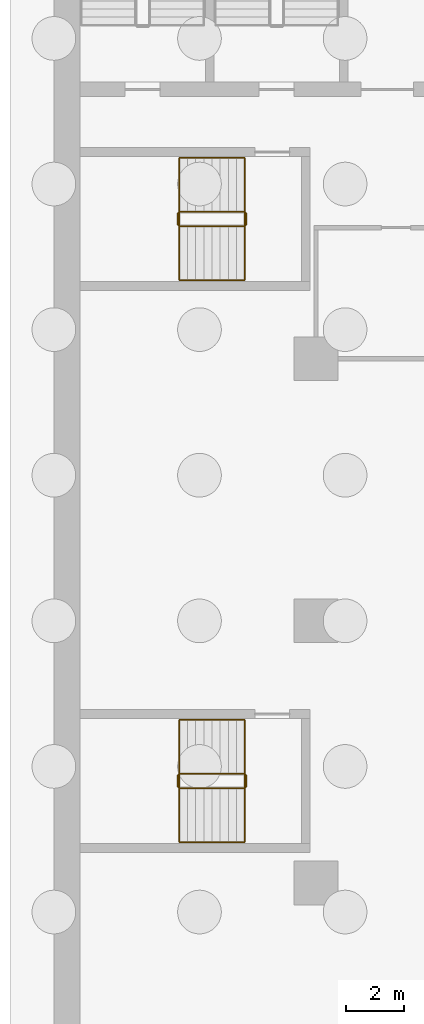
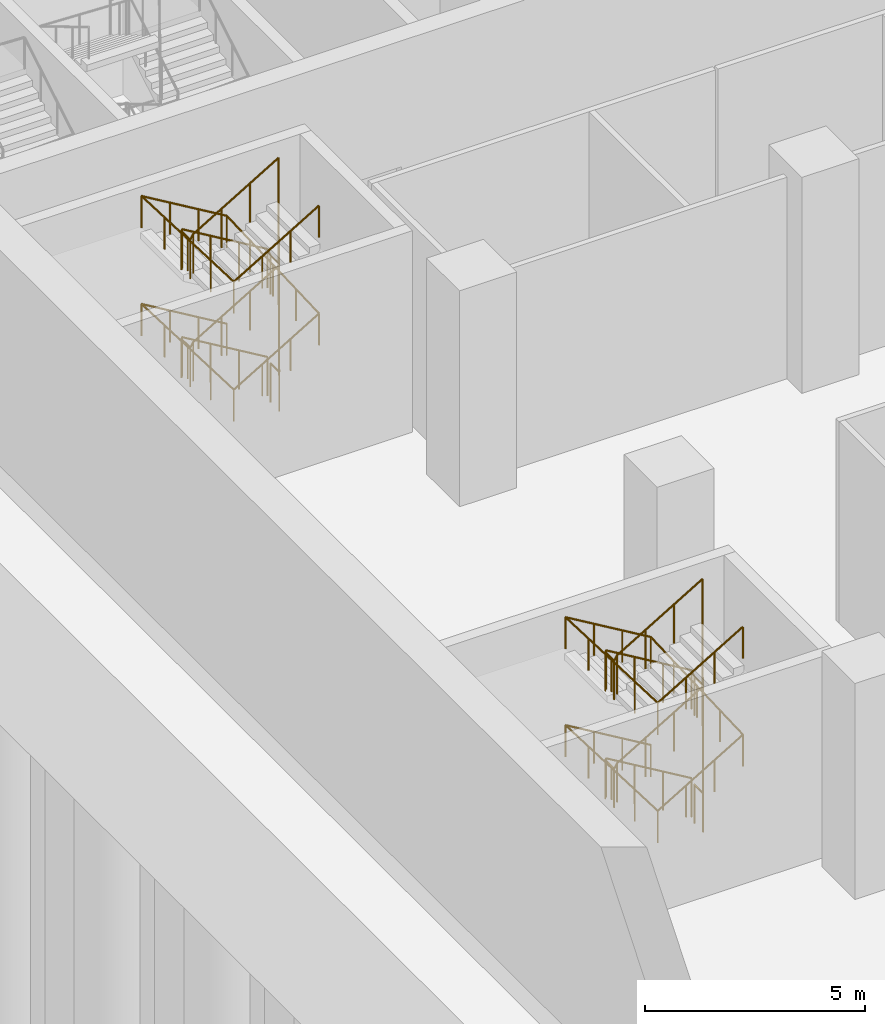
# One storey, part 18 of 25: 4 railings.
"""IFC4 building model written with IfcOpenShell, lengths in metres."""

from ifc_helpers import new_model, si_unit, direction, frame, origin, origin_2d, place, context, subcontext, project, spatial, circle, extrude, material, type_object, element, save


model = new_model("IFC4")

# Units and contexts
model_context = context("Model", 3, precision=1e-05, world=origin(), true_north=direction((0.0, 1.0)))
body_context = subcontext(model_context, "Body", "Model", "MODEL_VIEW")
ifc_project = project(units=[si_unit("LENGTHUNIT", "METRE"), si_unit("AREAUNIT", "SQUARE_METRE"), si_unit("VOLUMEUNIT", "CUBIC_METRE"), si_unit("PLANEANGLEUNIT", "RADIAN"), si_unit("MASSUNIT", "GRAM", prefix="KILO")], contexts=[model_context])

# Site, building, storey
site_placement = place(None, origin())
site = spatial("IfcSite", under=ifc_project, at=site_placement, CompositionType="ELEMENT")
building_placement = place(site_placement, origin())
building = spatial("IfcBuilding", under=site, at=building_placement, Name="Hunhe Ridgeline Campus", CompositionType="ELEMENT")
storey_placement = place(building_placement, frame((0.0, 0.0, -6.0)))
storey = spatial("IfcBuildingStorey", under=building, at=storey_placement, Name="B1", CompositionType="ELEMENT", Elevation=-6.0)

# Railings
ifc_material_1 = material(Name="Stainless steel balustrade", Category="steel")
railing_type_1 = type_object("IfcRailingType", Name="Stair guard 1100 stainless", PredefinedType="GUARDRAIL", material=ifc_material_1)
railing_1_placement = place(storey_placement, frame((6.550048828125, 39.75, 0.166748046875)))
element("IfcRailing", 1, at=railing_1_placement, inside=storey, type_object=railing_type_1, Name="B1 stair W1 guard", PredefinedType="GUARDRAIL", context=body_context, shape_type="SweptSolid", body=[
    extrude(circle(Radius=0.02392578125, at=origin_2d()), frame((0.0, 0.0, 1.076171875), z_axis=(-0.859305625298, 0.0, 0.511462454469), x_axis=(0.0, -1.0, 0.0)), (0.0, 0.0, 1.0), 2.606689453125),
    extrude(circle(Radius=0.02392578125, at=origin_2d()), frame((-2.239990234375, 0.0, 2.4091796875), z_axis=(-0.707106781187, -0.707106781187, 0.0), x_axis=(0.707106781187, -0.707106781187, 0.0)), (0.0, 0.0, 1.0), 0.07080078125),
    extrude(circle(Radius=0.02392578125, at=origin_2d()), frame((-2.2900390625, -0.050048828125, 2.4091796875), z_axis=(0.0, -1.0, 0.0), x_axis=(1.0, 0.0, 0.0)), (0.0, 0.0, 1.0), 0.39990234375),
    extrude(circle(Radius=0.02392578125, at=origin_2d()), frame((-2.2900390625, -0.449951171875, 2.4091796875), z_axis=(0.27628659633, -0.27628659633, 0.920506074601), x_axis=(0.707106781187, 0.707106781187, 0.0)), (0.0, 0.0, 1.0), 0.18115234375),
    extrude(circle(Radius=0.02392578125, at=origin_2d()), frame((-2.239990234375, -0.5, 2.576171875), z_axis=(0.859305625298, 0.0, 0.511462454469), x_axis=(0.0, 1.0, 0.0)), (0.0, 0.0, 1.0), 2.606689453125),
    extrude(circle(Radius=0.02392578125, at=origin_2d()), frame((0.0, -0.5, 3.9091796875), z_axis=(0.707106781187, 0.707106781187, 0.0), x_axis=(-0.707106781187, 0.707106781187, 0.0)), (0.0, 0.0, 1.0), 0.07080078125),
    extrude(circle(Radius=0.02392578125, at=origin_2d()), frame((0.050048828125, -0.449951171875, 3.9091796875), z_axis=(0.0, 1.0, 0.0), x_axis=(-1.0, 0.0, 0.0)), (0.0, 0.0, 1.0), 0.39990234375),
    extrude(circle(Radius=0.02392578125, at=origin_2d()), frame((0.050048828125, -0.050048828125, 3.9091796875), z_axis=(-0.27628659633, 0.27628659633, 0.920506074601), x_axis=(-0.707106781187, -0.707106781187, 0.0)), (0.0, 0.0, 1.0), 0.18115234375),
    extrude(circle(Radius=0.02392578125, at=origin_2d()), frame((0.0, 0.0, 4.076171875), z_axis=(-0.859305625298, 0.0, 0.511462454469), x_axis=(0.0, -1.0, 0.0)), (0.0, 0.0, 1.0), 2.606689453125),
    extrude(circle(Radius=0.02392578125, at=origin_2d()), frame((-2.239990234375, 0.0, 5.4091796875), z_axis=(-0.707106781187, -0.707106781187, 0.0), x_axis=(0.707106781187, -0.707106781187, 0.0)), (0.0, 0.0, 1.0), 0.07080078125),
    extrude(circle(Radius=0.02392578125, at=origin_2d()), frame((-2.2900390625, -0.050048828125, 5.4091796875), z_axis=(0.0, -1.0, 0.0), x_axis=(1.0, 0.0, 0.0)), (0.0, 0.0, 1.0), 0.39990234375),
    extrude(circle(Radius=0.02392578125, at=origin_2d()), frame((-2.2900390625, -0.449951171875, 5.4091796875), z_axis=(0.27628659633, -0.27628659633, 0.920506074601), x_axis=(0.707106781187, 0.707106781187, 0.0)), (0.0, 0.0, 1.0), 0.18115234375),
    extrude(circle(Radius=0.02392578125, at=origin_2d()), frame((-2.239990234375, -0.5, 5.576171875), z_axis=(0.859305625298, 0.0, 0.511462454469), x_axis=(0.0, 1.0, 0.0)), (0.0, 0.0, 1.0), 2.606689453125),
    extrude(circle(Radius=0.02392578125, at=origin_2d()), frame((0.0, -0.5, 6.9091796875), z_axis=(0.008340891014, 0.008340891014, -0.999930427117), x_axis=(1.0, 0.0, 0.0)), (0.0, 0.0, 1.0), 6.00048828125),
    extrude(circle(Radius=0.02392578125, at=origin_2d()), frame((0.050048828125, -0.449951171875, 0.9091796875), z_axis=(0.0, 1.0, 0.0), x_axis=(-1.0, 0.0, 0.0)), (0.0, 0.0, 1.0), 0.39990234375),
    extrude(circle(Radius=0.02099609375, at=origin_2d()), origin(), (0.0, 0.0, 1.0), 1.052001953125),
    extrude(circle(Radius=0.02099609375, at=origin_2d()), frame((-0.74658203125, 0.0, 0.4443359375)), (0.0, 0.0, 1.0), 1.052001953125),
    extrude(circle(Radius=0.02099609375, at=origin_2d()), frame((-1.493408203125, 0.0, 0.888916015625)), (0.0, 0.0, 1.0), 1.052001953125),
    extrude(circle(Radius=0.02099609375, at=origin_2d()), frame((-2.239990234375, 0.0, 1.333251953125)), (0.0, 0.0, 1.0), 1.052001953125),
    extrude(circle(Radius=0.02099609375, at=origin_2d()), frame((-2.2900390625, -0.050048828125, 1.333251953125)), (0.0, 0.0, 1.0), 1.052001953125),
    extrude(circle(Radius=0.02099609375, at=origin_2d()), frame((-2.2900390625, -0.449951171875, 1.333251953125)), (0.0, 0.0, 1.0), 1.052001953125),
    extrude(circle(Radius=0.02099609375, at=origin_2d()), frame((-2.239990234375, -0.5, 1.5)), (0.0, 0.0, 1.0), 1.052001953125),
    extrude(circle(Radius=0.02099609375, at=origin_2d()), frame((-1.493408203125, -0.5, 1.9443359375)), (0.0, 0.0, 1.0), 1.052001953125),
    extrude(circle(Radius=0.02099609375, at=origin_2d()), frame((-0.74658203125, -0.5, 2.388916015625)), (0.0, 0.0, 1.0), 1.052001953125),
    extrude(circle(Radius=0.02099609375, at=origin_2d()), frame((0.0, -0.5, 2.833251953125)), (0.0, 0.0, 1.0), 1.052001953125),
    extrude(circle(Radius=0.02099609375, at=origin_2d()), frame((0.050048828125, -0.449951171875, 2.833251953125)), (0.0, 0.0, 1.0), 1.052001953125),
    extrude(circle(Radius=0.02099609375, at=origin_2d()), frame((0.050048828125, -0.050048828125, 2.833251953125)), (0.0, 0.0, 1.0), 1.052001953125),
    extrude(circle(Radius=0.02099609375, at=origin_2d()), frame((0.0, 0.0, 3.0)), (0.0, 0.0, 1.0), 1.052001953125),
    extrude(circle(Radius=0.02099609375, at=origin_2d()), frame((-0.74658203125, 0.0, 3.4443359375)), (0.0, 0.0, 1.0), 1.052001953125),
    extrude(circle(Radius=0.02099609375, at=origin_2d()), frame((-1.493408203125, 0.0, 3.888916015625)), (0.0, 0.0, 1.0), 1.052001953125),
    extrude(circle(Radius=0.02099609375, at=origin_2d()), frame((-2.239990234375, 0.0, 4.333251953125)), (0.0, 0.0, 1.0), 1.052001953125),
    extrude(circle(Radius=0.02099609375, at=origin_2d()), frame((-2.2900390625, -0.050048828125, 4.333251953125)), (0.0, 0.0, 1.0), 1.052001953125),
    extrude(circle(Radius=0.02099609375, at=origin_2d()), frame((-2.2900390625, -0.449951171875, 4.333251953125)), (0.0, 0.0, 1.0), 1.052001953125),
    extrude(circle(Radius=0.02099609375, at=origin_2d()), frame((-2.239990234375, -0.5, 4.5)), (0.0, 0.0, 1.0), 1.052001953125),
    extrude(circle(Radius=0.02099609375, at=origin_2d()), frame((-1.493408203125, -0.5, 4.9443359375)), (0.0, 0.0, 1.0), 1.052001953125),
    extrude(circle(Radius=0.02099609375, at=origin_2d()), frame((-0.74658203125, -0.5, 5.388916015625)), (0.0, 0.0, 1.0), 1.052001953125),
    extrude(circle(Radius=0.02099609375, at=origin_2d()), frame((0.0, -0.5, 5.833251953125)), (0.0, 0.0, 1.0), 1.052001953125),
    extrude(circle(Radius=0.02099609375, at=origin_2d()), frame((0.00830078125, -0.49169921875, 4.833251953125)), (0.0, 0.0, 1.0), 1.052001953125),
    extrude(circle(Radius=0.02099609375, at=origin_2d()), frame((0.0166015625, -0.4833984375, 3.833251953125)), (0.0, 0.0, 1.0), 1.052001953125),
    extrude(circle(Radius=0.02099609375, at=origin_2d()), frame((0.02490234375, -0.47509765625, 2.833251953125)), (0.0, 0.0, 1.0), 1.052001953125),
    extrude(circle(Radius=0.02099609375, at=origin_2d()), frame((0.033447265625, -0.466552734375, 1.833251953125)), (0.0, 0.0, 1.0), 1.052001953125),
    extrude(circle(Radius=0.02099609375, at=origin_2d()), frame((0.041748046875, -0.458251953125, 0.833251953125)), (0.0, 0.0, 1.0), 1.052001953125),
    extrude(circle(Radius=0.02099609375, at=origin_2d()), frame((0.050048828125, -0.449951171875, -0.166748046875)), (0.0, 0.0, 1.0), 1.052001953125),
    extrude(circle(Radius=0.02099609375, at=origin_2d()), frame((0.050048828125, -0.050048828125, -0.166748046875)), (0.0, 0.0, 1.0), 1.052001953125),
])
railing_2_placement = place(storey_placement, frame((6.550048828125, 59.050048828125, 0.166748046875)))
element("IfcRailing", 2, at=railing_2_placement, inside=storey, type_object=railing_type_1, Name="B1 stair W2 guard", PredefinedType="GUARDRAIL", context=body_context, shape_type="SweptSolid", body=[
    extrude(circle(Radius=0.02392578125, at=origin_2d()), frame((0.0, 0.0, 1.076171875), z_axis=(-0.859305625298, 0.0, 0.511462454469), x_axis=(0.0, -1.0, 0.0)), (0.0, 0.0, 1.0), 2.606689453125),
    extrude(circle(Radius=0.02392578125, at=origin_2d()), frame((-2.239990234375, 0.0, 2.4091796875), z_axis=(-0.707106781187, -0.707106781187, 0.0), x_axis=(0.707106781187, -0.707106781187, 0.0)), (0.0, 0.0, 1.0), 0.07080078125),
    extrude(circle(Radius=0.02392578125, at=origin_2d()), frame((-2.2900390625, -0.050048828125, 2.4091796875), z_axis=(0.0, -1.0, 0.0), x_axis=(1.0, 0.0, 0.0)), (0.0, 0.0, 1.0), 0.39990234375),
    extrude(circle(Radius=0.02392578125, at=origin_2d()), frame((-2.2900390625, -0.449951171875, 2.4091796875), z_axis=(0.27628659633, -0.27628659633, 0.920506074601), x_axis=(0.707106781187, 0.707106781187, 0.0)), (0.0, 0.0, 1.0), 0.18115234375),
    extrude(circle(Radius=0.02392578125, at=origin_2d()), frame((-2.239990234375, -0.5, 2.576171875), z_axis=(0.859305625298, 0.0, 0.511462454469), x_axis=(0.0, 1.0, 0.0)), (0.0, 0.0, 1.0), 2.606689453125),
    extrude(circle(Radius=0.02392578125, at=origin_2d()), frame((0.0, -0.5, 3.9091796875), z_axis=(0.707106781187, 0.707106781187, 0.0), x_axis=(-0.707106781187, 0.707106781187, 0.0)), (0.0, 0.0, 1.0), 0.07080078125),
    extrude(circle(Radius=0.02392578125, at=origin_2d()), frame((0.050048828125, -0.449951171875, 3.9091796875), z_axis=(0.0, 1.0, 0.0), x_axis=(-1.0, 0.0, 0.0)), (0.0, 0.0, 1.0), 0.39990234375),
    extrude(circle(Radius=0.02392578125, at=origin_2d()), frame((0.050048828125, -0.050048828125, 3.9091796875), z_axis=(-0.27628659633, 0.27628659633, 0.920506074601), x_axis=(-0.707106781187, -0.707106781187, 0.0)), (0.0, 0.0, 1.0), 0.18115234375),
    extrude(circle(Radius=0.02392578125, at=origin_2d()), frame((0.0, 0.0, 4.076171875), z_axis=(-0.859305625298, 0.0, 0.511462454469), x_axis=(0.0, -1.0, 0.0)), (0.0, 0.0, 1.0), 2.606689453125),
    extrude(circle(Radius=0.02392578125, at=origin_2d()), frame((-2.239990234375, 0.0, 5.4091796875), z_axis=(-0.707106781187, -0.707106781187, 0.0), x_axis=(0.707106781187, -0.707106781187, 0.0)), (0.0, 0.0, 1.0), 0.07080078125),
    extrude(circle(Radius=0.02392578125, at=origin_2d()), frame((-2.2900390625, -0.050048828125, 5.4091796875), z_axis=(0.0, -1.0, 0.0), x_axis=(1.0, 0.0, 0.0)), (0.0, 0.0, 1.0), 0.39990234375),
    extrude(circle(Radius=0.02392578125, at=origin_2d()), frame((-2.2900390625, -0.449951171875, 5.4091796875), z_axis=(0.27628659633, -0.27628659633, 0.920506074601), x_axis=(0.707106781187, 0.707106781187, 0.0)), (0.0, 0.0, 1.0), 0.18115234375),
    extrude(circle(Radius=0.02392578125, at=origin_2d()), frame((-2.239990234375, -0.5, 5.576171875), z_axis=(0.859305625298, 0.0, 0.511462454469), x_axis=(0.0, 1.0, 0.0)), (0.0, 0.0, 1.0), 2.606689453125),
    extrude(circle(Radius=0.02392578125, at=origin_2d()), frame((0.0, -0.5, 6.9091796875), z_axis=(0.008340891014, 0.008340891014, -0.999930427117), x_axis=(1.0, 0.0, 0.0)), (0.0, 0.0, 1.0), 6.00048828125),
    extrude(circle(Radius=0.02392578125, at=origin_2d()), frame((0.050048828125, -0.449951171875, 0.9091796875), z_axis=(0.0, 1.0, 0.0), x_axis=(-1.0, 0.0, 0.0)), (0.0, 0.0, 1.0), 0.39990234375),
    extrude(circle(Radius=0.02099609375, at=origin_2d()), origin(), (0.0, 0.0, 1.0), 1.052001953125),
    extrude(circle(Radius=0.02099609375, at=origin_2d()), frame((-0.74658203125, 0.0, 0.4443359375)), (0.0, 0.0, 1.0), 1.052001953125),
    extrude(circle(Radius=0.02099609375, at=origin_2d()), frame((-1.493408203125, 0.0, 0.888916015625)), (0.0, 0.0, 1.0), 1.052001953125),
    extrude(circle(Radius=0.02099609375, at=origin_2d()), frame((-2.239990234375, 0.0, 1.333251953125)), (0.0, 0.0, 1.0), 1.052001953125),
    extrude(circle(Radius=0.02099609375, at=origin_2d()), frame((-2.2900390625, -0.050048828125, 1.333251953125)), (0.0, 0.0, 1.0), 1.052001953125),
    extrude(circle(Radius=0.02099609375, at=origin_2d()), frame((-2.2900390625, -0.449951171875, 1.333251953125)), (0.0, 0.0, 1.0), 1.052001953125),
    extrude(circle(Radius=0.02099609375, at=origin_2d()), frame((-2.239990234375, -0.5, 1.5)), (0.0, 0.0, 1.0), 1.052001953125),
    extrude(circle(Radius=0.02099609375, at=origin_2d()), frame((-1.493408203125, -0.5, 1.9443359375)), (0.0, 0.0, 1.0), 1.052001953125),
    extrude(circle(Radius=0.02099609375, at=origin_2d()), frame((-0.74658203125, -0.5, 2.388916015625)), (0.0, 0.0, 1.0), 1.052001953125),
    extrude(circle(Radius=0.02099609375, at=origin_2d()), frame((0.0, -0.5, 2.833251953125)), (0.0, 0.0, 1.0), 1.052001953125),
    extrude(circle(Radius=0.02099609375, at=origin_2d()), frame((0.050048828125, -0.449951171875, 2.833251953125)), (0.0, 0.0, 1.0), 1.052001953125),
    extrude(circle(Radius=0.02099609375, at=origin_2d()), frame((0.050048828125, -0.050048828125, 2.833251953125)), (0.0, 0.0, 1.0), 1.052001953125),
    extrude(circle(Radius=0.02099609375, at=origin_2d()), frame((0.0, 0.0, 3.0)), (0.0, 0.0, 1.0), 1.052001953125),
    extrude(circle(Radius=0.02099609375, at=origin_2d()), frame((-0.74658203125, 0.0, 3.4443359375)), (0.0, 0.0, 1.0), 1.052001953125),
    extrude(circle(Radius=0.02099609375, at=origin_2d()), frame((-1.493408203125, 0.0, 3.888916015625)), (0.0, 0.0, 1.0), 1.052001953125),
    extrude(circle(Radius=0.02099609375, at=origin_2d()), frame((-2.239990234375, 0.0, 4.333251953125)), (0.0, 0.0, 1.0), 1.052001953125),
    extrude(circle(Radius=0.02099609375, at=origin_2d()), frame((-2.2900390625, -0.050048828125, 4.333251953125)), (0.0, 0.0, 1.0), 1.052001953125),
    extrude(circle(Radius=0.02099609375, at=origin_2d()), frame((-2.2900390625, -0.449951171875, 4.333251953125)), (0.0, 0.0, 1.0), 1.052001953125),
    extrude(circle(Radius=0.02099609375, at=origin_2d()), frame((-2.239990234375, -0.5, 4.5)), (0.0, 0.0, 1.0), 1.052001953125),
    extrude(circle(Radius=0.02099609375, at=origin_2d()), frame((-1.493408203125, -0.5, 4.9443359375)), (0.0, 0.0, 1.0), 1.052001953125),
    extrude(circle(Radius=0.02099609375, at=origin_2d()), frame((-0.74658203125, -0.5, 5.388916015625)), (0.0, 0.0, 1.0), 1.052001953125),
    extrude(circle(Radius=0.02099609375, at=origin_2d()), frame((0.0, -0.5, 5.833251953125)), (0.0, 0.0, 1.0), 1.052001953125),
    extrude(circle(Radius=0.02099609375, at=origin_2d()), frame((0.00830078125, -0.49169921875, 4.833251953125)), (0.0, 0.0, 1.0), 1.052001953125),
    extrude(circle(Radius=0.02099609375, at=origin_2d()), frame((0.0166015625, -0.4833984375, 3.833251953125)), (0.0, 0.0, 1.0), 1.052001953125),
    extrude(circle(Radius=0.02099609375, at=origin_2d()), frame((0.02490234375, -0.47509765625, 2.833251953125)), (0.0, 0.0, 1.0), 1.052001953125),
    extrude(circle(Radius=0.02099609375, at=origin_2d()), frame((0.033447265625, -0.466552734375, 1.833251953125)), (0.0, 0.0, 1.0), 1.052001953125),
    extrude(circle(Radius=0.02099609375, at=origin_2d()), frame((0.041748046875, -0.458251953125, 0.833251953125)), (0.0, 0.0, 1.0), 1.052001953125),
    extrude(circle(Radius=0.02099609375, at=origin_2d()), frame((0.050048828125, -0.449951171875, -0.166748046875)), (0.0, 0.0, 1.0), 1.052001953125),
    extrude(circle(Radius=0.02099609375, at=origin_2d()), frame((0.050048828125, -0.050048828125, -0.166748046875)), (0.0, 0.0, 1.0), 1.052001953125),
])
ifc_material_2 = material(Name="Stainless steel handrail", Category="steel")
railing_type_2 = type_object("IfcRailingType", Name="Stair handrail 900 stainless", PredefinedType="HANDRAIL", material=ifc_material_2)
railing_3_placement = place(storey_placement, frame((6.550048828125, 41.60009765625, 0.166748046875)))
element("IfcRailing", 3, at=railing_3_placement, inside=storey, type_object=railing_type_2, Name="B1 stair W1 handrail", PredefinedType="HANDRAIL", context=body_context, shape_type="SweptSolid", body=[
    extrude(circle(Radius=0.02392578125, at=origin_2d()), frame((0.0, 0.0, 0.8759765625), z_axis=(-0.859305625298, 0.0, 0.511462454469), x_axis=(0.0, -1.0, 0.0)), (0.0, 0.0, 1.0), 2.606689453125),
    extrude(circle(Radius=0.02392578125, at=origin_2d()), frame((-2.239990234375, 0.0, 2.208984375), z_axis=(0.0, -0.999212882538, 0.039668821133), x_axis=(1.0, 0.0, 0.0)), (0.0, 0.0, 1.0), 4.20361328125),
    extrude(circle(Radius=0.02392578125, at=origin_2d()), frame((-2.239990234375, -4.2001953125, 2.3759765625), z_axis=(0.859305625298, 0.0, 0.511462454469), x_axis=(0.0, 1.0, 0.0)), (0.0, 0.0, 1.0), 2.606689453125),
    extrude(circle(Radius=0.02392578125, at=origin_2d()), frame((0.0, -4.2001953125, 3.708984375), z_axis=(0.0, 0.999212882538, 0.039668821133), x_axis=(-1.0, 0.0, 0.0)), (0.0, 0.0, 1.0), 4.20361328125),
    extrude(circle(Radius=0.02392578125, at=origin_2d()), frame((0.0, 0.0, 3.8759765625), z_axis=(-0.859305625298, 0.0, 0.511462454469), x_axis=(0.0, -1.0, 0.0)), (0.0, 0.0, 1.0), 2.606689453125),
    extrude(circle(Radius=0.02392578125, at=origin_2d()), frame((-2.239990234375, 0.0, 5.208984375), z_axis=(0.0, -0.999212882538, 0.039668821133), x_axis=(1.0, 0.0, 0.0)), (0.0, 0.0, 1.0), 4.20361328125),
    extrude(circle(Radius=0.02392578125, at=origin_2d()), frame((-2.239990234375, -4.2001953125, 5.3759765625), z_axis=(0.859305625298, 0.0, 0.511462454469), x_axis=(0.0, 1.0, 0.0)), (0.0, 0.0, 1.0), 2.606689453125),
    extrude(circle(Radius=0.02099609375, at=origin_2d()), origin(), (0.0, 0.0, 1.0), 0.851806640625),
    extrude(circle(Radius=0.02099609375, at=origin_2d()), frame((-0.74658203125, 0.0, 0.4443359375)), (0.0, 0.0, 1.0), 0.851806640625),
    extrude(circle(Radius=0.02099609375, at=origin_2d()), frame((-1.493408203125, 0.0, 0.888916015625)), (0.0, 0.0, 1.0), 0.851806640625),
    extrude(circle(Radius=0.02099609375, at=origin_2d()), frame((-2.239990234375, 0.0, 1.333251953125)), (0.0, 0.0, 1.0), 0.851806640625),
    extrude(circle(Radius=0.02099609375, at=origin_2d()), frame((-2.239990234375, -1.050048828125, 1.375)), (0.0, 0.0, 1.0), 0.851806640625),
    extrude(circle(Radius=0.02099609375, at=origin_2d()), frame((-2.239990234375, -2.10009765625, 1.41650390625)), (0.0, 0.0, 1.0), 0.851806640625),
    extrude(circle(Radius=0.02099609375, at=origin_2d()), frame((-2.239990234375, -3.150146484375, 1.458251953125)), (0.0, 0.0, 1.0), 0.851806640625),
    extrude(circle(Radius=0.02099609375, at=origin_2d()), frame((-2.239990234375, -4.2001953125, 1.5)), (0.0, 0.0, 1.0), 0.851806640625),
    extrude(circle(Radius=0.02099609375, at=origin_2d()), frame((-1.493408203125, -4.2001953125, 1.9443359375)), (0.0, 0.0, 1.0), 0.851806640625),
    extrude(circle(Radius=0.02099609375, at=origin_2d()), frame((-0.74658203125, -4.2001953125, 2.388916015625)), (0.0, 0.0, 1.0), 0.851806640625),
    extrude(circle(Radius=0.02099609375, at=origin_2d()), frame((0.0, -4.2001953125, 2.833251953125)), (0.0, 0.0, 1.0), 0.851806640625),
    extrude(circle(Radius=0.02099609375, at=origin_2d()), frame((0.0, -3.150146484375, 2.875)), (0.0, 0.0, 1.0), 0.851806640625),
    extrude(circle(Radius=0.02099609375, at=origin_2d()), frame((0.0, -2.10009765625, 2.91650390625)), (0.0, 0.0, 1.0), 0.851806640625),
    extrude(circle(Radius=0.02099609375, at=origin_2d()), frame((0.0, -1.050048828125, 2.958251953125)), (0.0, 0.0, 1.0), 0.851806640625),
    extrude(circle(Radius=0.02099609375, at=origin_2d()), frame((0.0, 0.0, 3.0)), (0.0, 0.0, 1.0), 0.851806640625),
    extrude(circle(Radius=0.02099609375, at=origin_2d()), frame((-0.74658203125, 0.0, 3.4443359375)), (0.0, 0.0, 1.0), 0.851806640625),
    extrude(circle(Radius=0.02099609375, at=origin_2d()), frame((-1.493408203125, 0.0, 3.888916015625)), (0.0, 0.0, 1.0), 0.851806640625),
    extrude(circle(Radius=0.02099609375, at=origin_2d()), frame((-2.239990234375, 0.0, 4.333251953125)), (0.0, 0.0, 1.0), 0.851806640625),
    extrude(circle(Radius=0.02099609375, at=origin_2d()), frame((-2.239990234375, -1.050048828125, 4.375)), (0.0, 0.0, 1.0), 0.851806640625),
    extrude(circle(Radius=0.02099609375, at=origin_2d()), frame((-2.239990234375, -2.10009765625, 4.41650390625)), (0.0, 0.0, 1.0), 0.851806640625),
    extrude(circle(Radius=0.02099609375, at=origin_2d()), frame((-2.239990234375, -3.150146484375, 4.458251953125)), (0.0, 0.0, 1.0), 0.851806640625),
    extrude(circle(Radius=0.02099609375, at=origin_2d()), frame((-2.239990234375, -4.2001953125, 4.5)), (0.0, 0.0, 1.0), 0.851806640625),
    extrude(circle(Radius=0.02099609375, at=origin_2d()), frame((-1.493408203125, -4.2001953125, 4.9443359375)), (0.0, 0.0, 1.0), 0.851806640625),
    extrude(circle(Radius=0.02099609375, at=origin_2d()), frame((-0.74658203125, -4.2001953125, 5.388916015625)), (0.0, 0.0, 1.0), 0.851806640625),
    extrude(circle(Radius=0.02099609375, at=origin_2d()), frame((0.0, -4.2001953125, 5.833251953125)), (0.0, 0.0, 1.0), 0.851806640625),
])
railing_4_placement = place(storey_placement, frame((6.550048828125, 60.89990234375, 0.166748046875)))
element("IfcRailing", 4, at=railing_4_placement, inside=storey, type_object=railing_type_2, Name="B1 stair W2 handrail", PredefinedType="HANDRAIL", context=body_context, shape_type="SweptSolid", body=[
    extrude(circle(Radius=0.02392578125, at=origin_2d()), frame((0.0, 0.0, 0.8759765625), z_axis=(-0.859305625298, 0.0, 0.511462454469), x_axis=(0.0, -1.0, 0.0)), (0.0, 0.0, 1.0), 2.606689453125),
    extrude(circle(Radius=0.02392578125, at=origin_2d()), frame((-2.239990234375, 0.0, 2.208984375), z_axis=(0.0, -0.999212791134, 0.039671123429), x_axis=(1.0, 0.0, 0.0)), (0.0, 0.0, 1.0), 4.203369140625),
    extrude(circle(Radius=0.02392578125, at=origin_2d()), frame((-2.239990234375, -4.199951171875, 2.3759765625), z_axis=(0.859305625298, 0.0, 0.511462454469), x_axis=(0.0, 1.0, 0.0)), (0.0, 0.0, 1.0), 2.606689453125),
    extrude(circle(Radius=0.02392578125, at=origin_2d()), frame((0.0, -4.199951171875, 3.708984375), z_axis=(0.0, 0.999212791134, 0.039671123429), x_axis=(-1.0, 0.0, 0.0)), (0.0, 0.0, 1.0), 4.203369140625),
    extrude(circle(Radius=0.02392578125, at=origin_2d()), frame((0.0, 0.0, 3.8759765625), z_axis=(-0.859305625298, 0.0, 0.511462454469), x_axis=(0.0, -1.0, 0.0)), (0.0, 0.0, 1.0), 2.606689453125),
    extrude(circle(Radius=0.02392578125, at=origin_2d()), frame((-2.239990234375, 0.0, 5.208984375), z_axis=(0.0, -0.999212791134, 0.039671123429), x_axis=(1.0, 0.0, 0.0)), (0.0, 0.0, 1.0), 4.203369140625),
    extrude(circle(Radius=0.02392578125, at=origin_2d()), frame((-2.239990234375, -4.199951171875, 5.3759765625), z_axis=(0.859305625298, 0.0, 0.511462454469), x_axis=(0.0, 1.0, 0.0)), (0.0, 0.0, 1.0), 2.606689453125),
    extrude(circle(Radius=0.02099609375, at=origin_2d()), origin(), (0.0, 0.0, 1.0), 0.851806640625),
    extrude(circle(Radius=0.02099609375, at=origin_2d()), frame((-0.74658203125, 0.0, 0.4443359375)), (0.0, 0.0, 1.0), 0.851806640625),
    extrude(circle(Radius=0.02099609375, at=origin_2d()), frame((-1.493408203125, 0.0, 0.888916015625)), (0.0, 0.0, 1.0), 0.851806640625),
    extrude(circle(Radius=0.02099609375, at=origin_2d()), frame((-2.239990234375, 0.0, 1.333251953125)), (0.0, 0.0, 1.0), 0.851806640625),
    extrude(circle(Radius=0.02099609375, at=origin_2d()), frame((-2.239990234375, -1.050048828125, 1.375)), (0.0, 0.0, 1.0), 0.851806640625),
    extrude(circle(Radius=0.02099609375, at=origin_2d()), frame((-2.239990234375, -2.10009765625, 1.41650390625)), (0.0, 0.0, 1.0), 0.851806640625),
    extrude(circle(Radius=0.02099609375, at=origin_2d()), frame((-2.239990234375, -3.14990234375, 1.458251953125)), (0.0, 0.0, 1.0), 0.851806640625),
    extrude(circle(Radius=0.02099609375, at=origin_2d()), frame((-2.239990234375, -4.199951171875, 1.5)), (0.0, 0.0, 1.0), 0.851806640625),
    extrude(circle(Radius=0.02099609375, at=origin_2d()), frame((-1.493408203125, -4.199951171875, 1.9443359375)), (0.0, 0.0, 1.0), 0.851806640625),
    extrude(circle(Radius=0.02099609375, at=origin_2d()), frame((-0.74658203125, -4.199951171875, 2.388916015625)), (0.0, 0.0, 1.0), 0.851806640625),
    extrude(circle(Radius=0.02099609375, at=origin_2d()), frame((0.0, -4.199951171875, 2.833251953125)), (0.0, 0.0, 1.0), 0.851806640625),
    extrude(circle(Radius=0.02099609375, at=origin_2d()), frame((0.0, -3.14990234375, 2.875)), (0.0, 0.0, 1.0), 0.851806640625),
    extrude(circle(Radius=0.02099609375, at=origin_2d()), frame((0.0, -2.10009765625, 2.91650390625)), (0.0, 0.0, 1.0), 0.851806640625),
    extrude(circle(Radius=0.02099609375, at=origin_2d()), frame((0.0, -1.050048828125, 2.958251953125)), (0.0, 0.0, 1.0), 0.851806640625),
    extrude(circle(Radius=0.02099609375, at=origin_2d()), frame((0.0, 0.0, 3.0)), (0.0, 0.0, 1.0), 0.851806640625),
    extrude(circle(Radius=0.02099609375, at=origin_2d()), frame((-0.74658203125, 0.0, 3.4443359375)), (0.0, 0.0, 1.0), 0.851806640625),
    extrude(circle(Radius=0.02099609375, at=origin_2d()), frame((-1.493408203125, 0.0, 3.888916015625)), (0.0, 0.0, 1.0), 0.851806640625),
    extrude(circle(Radius=0.02099609375, at=origin_2d()), frame((-2.239990234375, 0.0, 4.333251953125)), (0.0, 0.0, 1.0), 0.851806640625),
    extrude(circle(Radius=0.02099609375, at=origin_2d()), frame((-2.239990234375, -1.050048828125, 4.375)), (0.0, 0.0, 1.0), 0.851806640625),
    extrude(circle(Radius=0.02099609375, at=origin_2d()), frame((-2.239990234375, -2.10009765625, 4.41650390625)), (0.0, 0.0, 1.0), 0.851806640625),
    extrude(circle(Radius=0.02099609375, at=origin_2d()), frame((-2.239990234375, -3.14990234375, 4.458251953125)), (0.0, 0.0, 1.0), 0.851806640625),
    extrude(circle(Radius=0.02099609375, at=origin_2d()), frame((-2.239990234375, -4.199951171875, 4.5)), (0.0, 0.0, 1.0), 0.851806640625),
    extrude(circle(Radius=0.02099609375, at=origin_2d()), frame((-1.493408203125, -4.199951171875, 4.9443359375)), (0.0, 0.0, 1.0), 0.851806640625),
    extrude(circle(Radius=0.02099609375, at=origin_2d()), frame((-0.74658203125, -4.199951171875, 5.388916015625)), (0.0, 0.0, 1.0), 0.851806640625),
    extrude(circle(Radius=0.02099609375, at=origin_2d()), frame((0.0, -4.199951171875, 5.833251953125)), (0.0, 0.0, 1.0), 0.851806640625),
])

save(model, "model.ifc")
